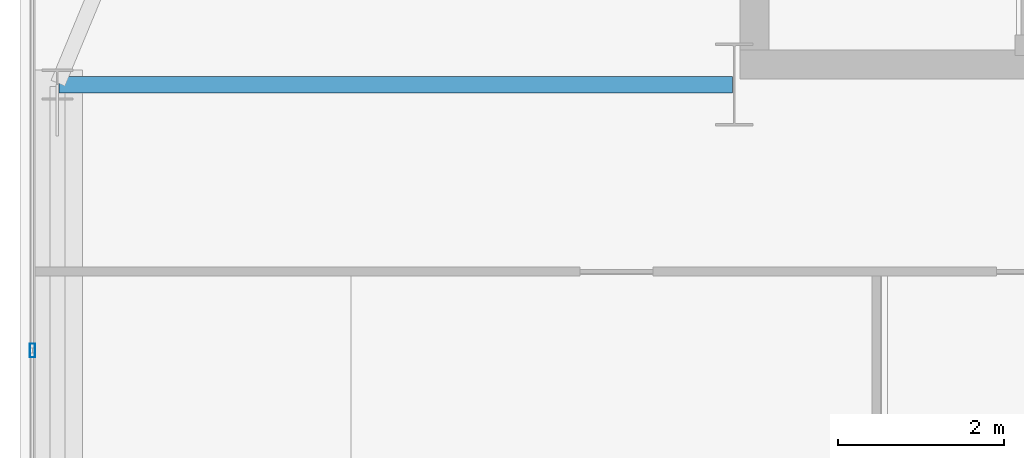
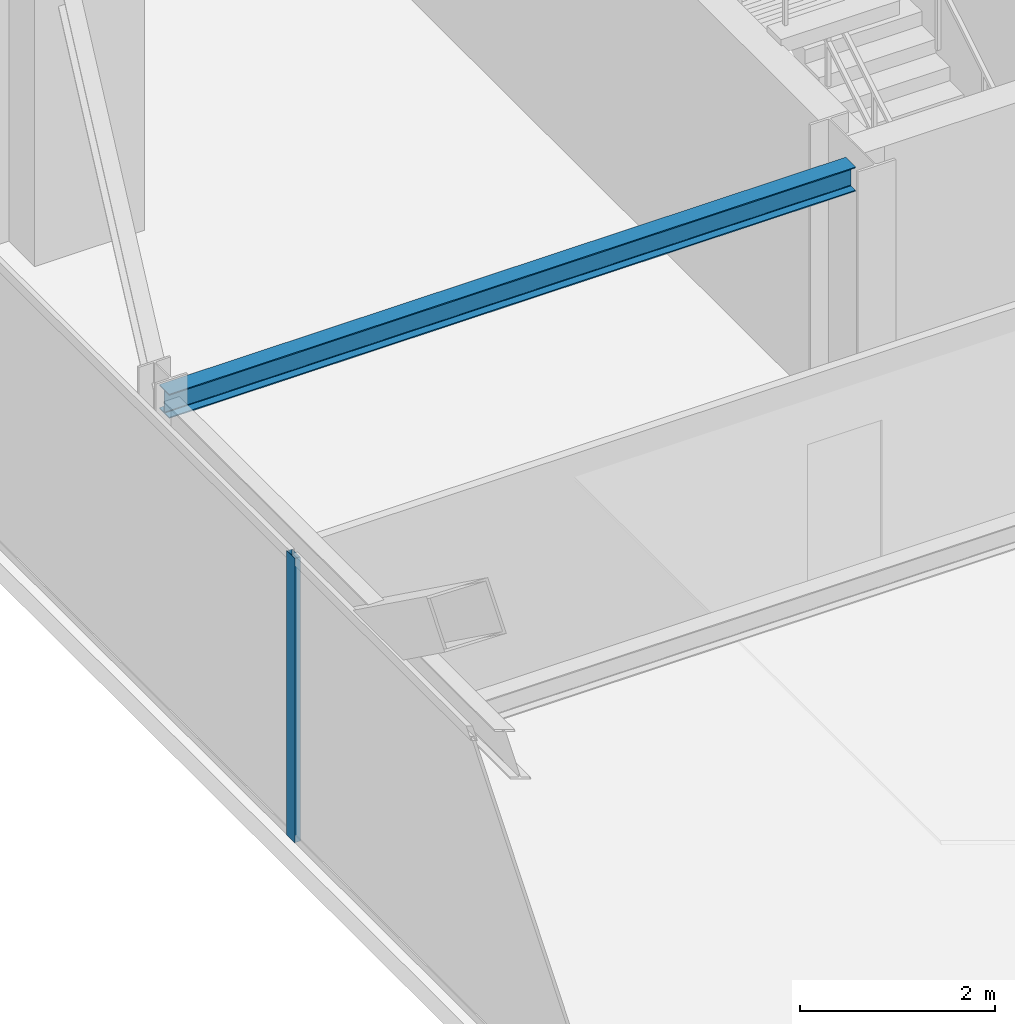
# One storey, part 12 of 34: 1 beam, 1 member, 1 element without a shape of its own.
"""IFC4 building model written with IfcOpenShell, lengths in metres."""

from ifc_helpers import new_model, si_unit, direction, frame, origin, origin_2d, place, context, subcontext, project, spatial, hollow_rectangle, i_section, extrude, source, transform, mapped, material, layer, layer_set, material_profile, profile_set, type_object, type_shapes, element, aggregate, save


model = new_model("IFC4")

# Units and contexts
model_context = context("Model", 3, precision=1e-05, world=origin(), true_north=direction((0.0, 1.0)))
body_context = subcontext(model_context, "Body", "Model", "MODEL_VIEW")
ifc_project = project(units=[si_unit("LENGTHUNIT", "METRE"), si_unit("AREAUNIT", "SQUARE_METRE"), si_unit("VOLUMEUNIT", "CUBIC_METRE"), si_unit("PLANEANGLEUNIT", "RADIAN"), si_unit("MASSUNIT", "GRAM", prefix="KILO")], contexts=[model_context])

# Site, building, storey
site_placement = place(None, origin())
site = spatial("IfcSite", under=ifc_project, at=site_placement, CompositionType="ELEMENT")
building_placement = place(site_placement, origin())
building = spatial("IfcBuilding", under=site, at=building_placement, Name="Varnel Quay Broadcast Tower", CompositionType="ELEMENT")
storey_placement = place(building_placement, frame((0.0, 0.0, 176.199951171875)))
storey = spatial("IfcBuildingStorey", under=building, at=storey_placement, Name="L43", CompositionType="ELEMENT", Elevation=176.199951171875)

# Beam
ifc_material_1 = material(Name="Structural Steel CSA G40.21 350W", Category="steel")
ifc_material_profile_1 = material_profile(ifc_material_1, i_section(OverallWidth=0.202880859375, OverallDepth=0.302978515625, WebThickness=0.007568359375, FlangeThickness=0.01318359375, FilletRadius=0.011962890625, at=origin_2d()), Name="W310X60")
ifc_profile_set_1 = profile_set([ifc_material_profile_1], Name="Structural Steel CSA G40.21 350W")
beam_type = type_object("IfcBeamType", Name="Beam_W310X60", PredefinedType="JOIST", material=ifc_profile_set_1)
shared_shape_1 = source(origin(), body_context, "Body", "SweptSolid", [
    extrude(i_section(OverallWidth=0.202880859375, OverallDepth=0.302978515625, WebThickness=0.007568359375, FlangeThickness=0.01318359375, FilletRadius=0.011962890625, at=origin_2d()), origin(), (0.0, 0.0, 1.0), 8.110107421875),
])
type_shapes(beam_type, [shared_shape_1])
beam_placement = place(storey_placement, frame((7.469970703125, 35.60009765625, 3.3984375), z_axis=(1.0, 0.0, 0.0), x_axis=(0.0, 1.0, 0.0)))
element("IfcBeam", 1, at=beam_placement, inside=storey, type_object=beam_type, Name="L43 West Core Tie Joist", PredefinedType="JOIST", context=body_context, shape_type="MappedRepresentation", body=[
    mapped(shared_shape_1, transform((0.0, 0.0, 0.0), x_axis=(1.0, 0.0, 0.0), y_axis=(0.0, 1.0, 0.0), z_axis=(0.0, 0.0, 1.0), scale=1.0)),
])

# Curtain wall, member
ifc_material_2 = material(Name="Anodised Bronze Aluminium 6063-T6", Category="aluminium")
ifc_layer = layer(ifc_material_2, 0.18994140625, Name="Anodised Bronze Aluminium 6063-T6")
ifc_layer_set = layer_set([ifc_layer], Name="Anodised Bronze Aluminium 6063-T6")
curtain_wall_type = type_object("IfcCurtainWallType", Name="CW_UpperTower", PredefinedType="NOTDEFINED", material=ifc_layer_set)
curtain_wall_placement = place(storey_placement, origin())
curtain_wall = element("IfcCurtainWall", 2, at=curtain_wall_placement, inside=storey, type_object=curtain_wall_type, Name="L43 West Unitised Curtain Wall", PredefinedType="NOTDEFINED")
ifc_material_profile_2 = material_profile(ifc_material_2, hollow_rectangle(XDim=0.06494140625, YDim=0.1650390625, WallThickness=0.00341796875, at=origin_2d()), Name="ALU65X165X3.5")
ifc_profile_set_2 = profile_set([ifc_material_profile_2], Name="Anodised Bronze Aluminium 6063-T6")
member_type = type_object("IfcMemberType", Name="Mull_CWS-03", PredefinedType="MULLION", material=ifc_profile_set_2)
shared_shape_2 = source(origin(), body_context, "Body", "SweptSolid", [
    extrude(hollow_rectangle(XDim=0.06494140625, YDim=0.1650390625, WallThickness=0.00341796875, at=origin_2d()), origin(), (0.0, 0.0, 1.0), 3.550048828125),
])
type_shapes(member_type, [shared_shape_2])
member_placement = place(storey_placement, frame((7.14990234375, 32.39990234375, 0.0), z_axis=(0.0, 0.0, 1.0), x_axis=(-1.0, 0.0, 0.0)))
member = element("IfcMember", 3, at=member_placement, type_object=member_type, Name="CWS-03 mullion 3", PredefinedType="MULLION", context=body_context, shape_type="MappedRepresentation", body=[
    mapped(shared_shape_2, transform((0.0, 0.0, 0.0), x_axis=(1.0, 0.0, 0.0), y_axis=(0.0, 1.0, 0.0), z_axis=(0.0, 0.0, 1.0), scale=1.0)),
])
aggregate(curtain_wall, [member])

save(model, "model.ifc")
